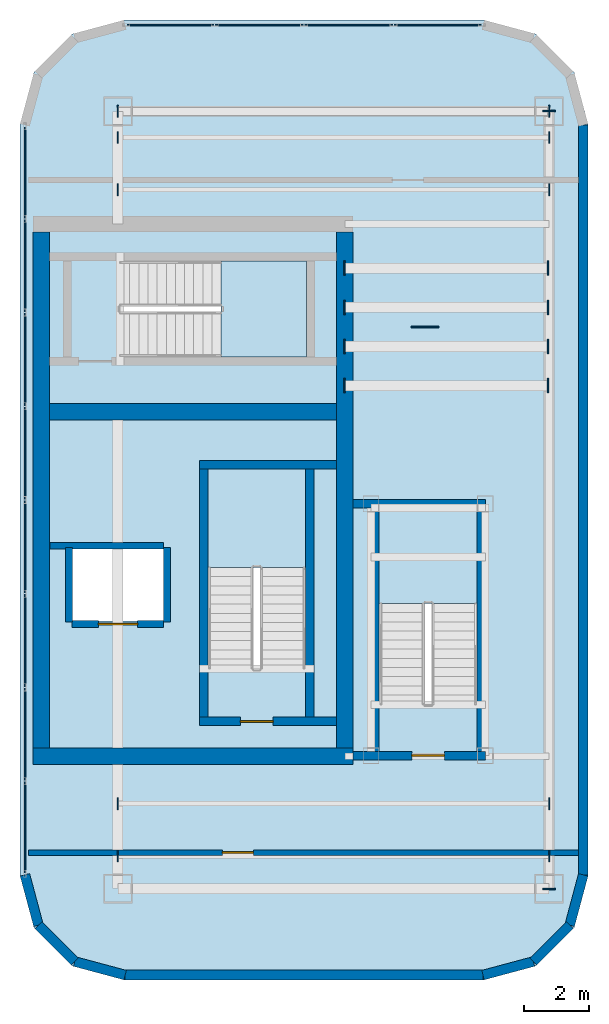
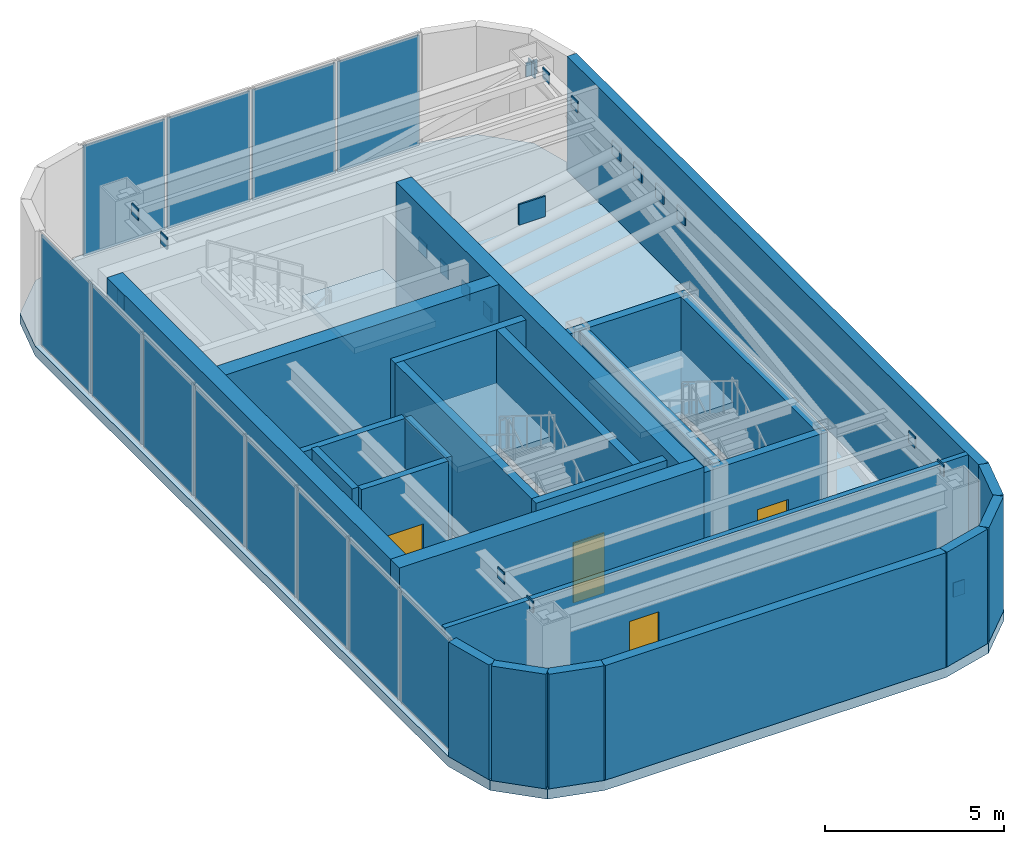
# One storey, part 7 of 9: 33 plates, 25 walls, 4 doors, 4 slabs, 4 openings, 5 elements without a shape of their own.
"""IFC4 building model written with IfcOpenShell, lengths in metres."""

from ifc_helpers import new_model, si_unit, direction, frame, frame_2d, origin, origin_2d, place, context, subcontext, project, spatial, polyline, rectangle, outline, extrude, material, layer, layer_set, type_object, element, fill, aggregate, save


model = new_model("IFC4")

# Units and contexts
model_context = context("Model", 3, precision=1e-05, world=origin(), true_north=direction((0.0, 1.0)))
body_context = subcontext(model_context, "Body", "Model", "MODEL_VIEW")
ifc_project = project(units=[si_unit("LENGTHUNIT", "METRE"), si_unit("AREAUNIT", "SQUARE_METRE"), si_unit("VOLUMEUNIT", "CUBIC_METRE"), si_unit("PLANEANGLEUNIT", "RADIAN"), si_unit("MASSUNIT", "GRAM", prefix="KILO")], contexts=[model_context])

# Site, building, storey
site_placement = place(None, origin())
site = spatial("IfcSite", under=ifc_project, at=site_placement, CompositionType="ELEMENT")
building_placement = place(site_placement, origin())
building = spatial("IfcBuilding", under=site, at=building_placement, Name="Kiyonajd Concourse Tower", CompositionType="ELEMENT")
storey_placement = place(building_placement, frame((0.0, 0.0, 372.89990234375)))
storey = spatial("IfcBuildingStorey", under=building, at=storey_placement, Name="L93", CompositionType="ELEMENT", Elevation=372.89990234375)

# Plates
ifc_material_1 = material(Name="Steel ASTM A572 Grade 50", Category="steel")
ifc_layer_1 = layer(ifc_material_1, 0.028076171875)
ifc_layer_set_1 = layer_set([ifc_layer_1], Name="Steel ASTM A572 Grade 50")
plate_type_1 = type_object("IfcPlateType", Name="PL-CAP-450", PredefinedType="USERDEFINED", material=ifc_layer_set_1)
for number, where, z_axis, x_axis, name in (
    (1, (56.389404296875, 47.60009765625, 0.047607421875), (0.0, 0.0, 1.0), (-1.0, 0.0, 0.0), "L93 Crown Wind Brace Cap"),
    (2, (69.610595703125, 47.60009765625, 3.302734375), (0.0, 0.0, 1.0), (1.0, 0.0, 0.0), "L93 Crown Wind Brace Cap"),
):
    element("IfcPlate", number, at=place(storey_placement, frame(where, z_axis=z_axis, x_axis=x_axis)), inside=storey, type_object=plate_type_1, Name=name, ObjectType="CAP PLATE", PredefinedType="USERDEFINED", context=body_context, shape_type="SweptSolid", body=[
        extrude(rectangle(XDim=0.035888671875, YDim=0.3701171875, at=origin_2d()), origin(), (0.0, 0.0, 1.0), 0.5),
    ])
for number, where, z_axis, x_axis, name in (
    (3, (69.60009765625, 23.7890625, 0.05224609375), (0.0, 0.0, 1.0), (0.0, -1.0, 0.0), "L93 Crown Wind Brace Cap"),
    (4, (69.60009765625, 47.61083984375, 3.30517578125), (0.0, 0.0, 1.0), (0.0, 1.0, 0.0), "L93 Crown Wind Brace Cap"),
):
    element("IfcPlate", number, at=place(storey_placement, frame(where, z_axis=z_axis, x_axis=x_axis)), inside=storey, type_object=plate_type_1, Name=name, ObjectType="CAP PLATE", PredefinedType="USERDEFINED", context=body_context, shape_type="SweptSolid", body=[
        extrude(rectangle(XDim=0.035888671875, YDim=0.3701171875, at=origin_2d()), origin(), (0.0, 0.0, 1.0), 0.492919921875),
    ])
for number, where, z_axis, x_axis, name in (
    (5, (56.388916015625, 24.800048828125, 3.580078125), (0.0, 0.0, 1.0), (-1.0, 0.0, 0.0), "L93 Crown Purlin End Cap"),
    (6, (69.611083984375, 24.800048828125, 3.580078125), (0.0, 0.0, 1.0), (1.0, 0.0, 0.0), "L93 Crown Purlin End Cap"),
    (7, (56.388916015625, 26.39990234375, 3.580078125), (0.0, 0.0, 1.0), (-1.0, 0.0, 0.0), "L93 Crown Purlin End Cap"),
    (8, (69.611083984375, 26.39990234375, 3.580078125), (0.0, 0.0, 1.0), (1.0, 0.0, 0.0), "L93 Crown Purlin End Cap"),
    (9, (56.388916015625, 45.199951171875, 3.580078125), (0.0, 0.0, 1.0), (-1.0, 0.0, 0.0), "L93 Crown Purlin End Cap"),
    (10, (69.611083984375, 45.199951171875, 3.580078125), (0.0, 0.0, 1.0), (1.0, 0.0, 0.0), "L93 Crown Purlin End Cap"),
    (11, (56.388916015625, 46.800048828125, 3.580078125), (0.0, 0.0, 1.0), (-1.0, 0.0, 0.0), "L93 Crown Purlin End Cap"),
    (12, (69.611083984375, 46.800048828125, 3.580078125), (0.0, 0.0, 1.0), (1.0, 0.0, 0.0), "L93 Crown Purlin End Cap"),
):
    element("IfcPlate", number, at=place(storey_placement, frame(where, z_axis=z_axis, x_axis=x_axis)), inside=storey, type_object=plate_type_1, Name=name, ObjectType="CAP PLATE", PredefinedType="USERDEFINED", context=body_context, shape_type="SweptSolid", body=[
        extrude(rectangle(XDim=0.035888671875, YDim=0.360107421875, at=origin_2d()), origin(), (0.0, 0.0, 1.0), 0.389892578125),
    ])
for number, where, z_axis, x_axis, name in (
    (13, (63.339111328125, 39.199951171875, 2.3134765625), (0.0, 0.0, 1.0), (-1.0, 0.0, 0.0), "TMD Strut Core Cap 1"),
    (14, (69.57080078125, 39.199951171875, 3.41748046875), (0.0, 0.0, 1.0), (1.0, 0.0, 0.0), "TMD Strut Outer Cap 1"),
    (15, (63.339111328125, 40.39990234375, 2.3134765625), (0.0, 0.0, 1.0), (-1.0, 0.0, 0.0), "TMD Strut Core Cap 2"),
    (16, (69.57080078125, 40.39990234375, 3.41748046875), (0.0, 0.0, 1.0), (1.0, 0.0, 0.0), "TMD Strut Outer Cap 2"),
    (17, (63.339111328125, 41.60009765625, 2.3134765625), (0.0, 0.0, 1.0), (-1.0, 0.0, 0.0), "TMD Strut Core Cap 3"),
    (18, (69.57080078125, 41.60009765625, 3.41748046875), (0.0, 0.0, 1.0), (1.0, 0.0, 0.0), "TMD Strut Outer Cap 3"),
    (19, (63.339111328125, 42.800048828125, 2.3134765625), (0.0, 0.0, 1.0), (-1.0, 0.0, 0.0), "TMD Strut Core Cap 4"),
    (20, (69.57080078125, 42.800048828125, 3.41748046875), (0.0, 0.0, 1.0), (1.0, 0.0, 0.0), "TMD Strut Outer Cap 4"),
):
    element("IfcPlate", number, at=place(storey_placement, frame(where, z_axis=z_axis, x_axis=x_axis)), inside=storey, type_object=plate_type_1, Name=name, ObjectType="CAP PLATE", PredefinedType="USERDEFINED", context=body_context, shape_type="SweptSolid", body=[
        extrude(rectangle(XDim=0.035888671875, YDim=0.444091796875, at=origin_2d()), origin(), (0.0, 0.0, 1.0), 0.468994140625),
    ])

# Curtain wall, plates
ifc_material_2 = material(Name="Thermally Broken Anodised Aluminium", Category="aluminium")
ifc_layer_2 = layer(ifc_material_2, 0.179931640625)
ifc_layer_set_2 = layer_set([ifc_layer_2], Name="Thermally Broken Anodised Aluminium")
curtain_wall_type = type_object("IfcCurtainWallType", Name="CW-SYS-06", PredefinedType="NOTDEFINED", material=ifc_layer_set_2)
curtain_wall_1_placement = place(storey_placement, origin())
curtain_wall_1 = element("IfcCurtainWall", 21, at=curtain_wall_1_placement, inside=storey, type_object=curtain_wall_type, Name="L93 Unitised Curtain Wall CW6", PredefinedType="NOTDEFINED")
ifc_material_3 = material(Name="Riyadh Jubaila Limestone", Category="masonry")
ifc_layer_3 = layer(ifc_material_3, 0.048095703125)
ifc_layer_set_3 = layer_set([ifc_layer_3], Name="Riyadh Jubaila Limestone")
plate_type_2 = type_object("IfcPlateType", Name="PL-CW-SPD48", PredefinedType="CURTAIN_PANEL", material=ifc_layer_set_3)
plate_1_placement = place(storey_placement, frame((53.550048828125, 25.673583984375, 0.0751953125), z_axis=(0.0, 0.0, 1.0), x_axis=(0.0, 1.0, 0.0)))
plate_1 = element("IfcPlate", 22, at=plate_1_placement, type_object=plate_type_2, Name="CW6 panel 1.1", PredefinedType="CURTAIN_PANEL", context=body_context, shape_type="SweptSolid", body=[
    extrude(rectangle(XDim=2.757568359375, YDim=0.048095703125, at=origin_2d()), origin(), (0.0, 0.0, 1.0), 3.75),
])
plate_2_placement = place(storey_placement, frame((53.550048828125, 28.52490234375, 0.0751953125), z_axis=(0.0, 0.0, 1.0), x_axis=(0.0, 1.0, 0.0)))
plate_2 = element("IfcPlate", 23, at=plate_2_placement, type_object=plate_type_2, Name="CW6 panel 2.1", PredefinedType="CURTAIN_PANEL", context=body_context, shape_type="SweptSolid", body=[
    extrude(rectangle(XDim=2.795166015625, YDim=0.048095703125, at=origin_2d()), origin(), (0.0, 0.0, 1.0), 3.75),
])
plate_3_placement = place(storey_placement, frame((53.550048828125, 31.39501953125, 0.0751953125), z_axis=(0.0, 0.0, 1.0), x_axis=(0.0, 1.0, 0.0)))
plate_3 = element("IfcPlate", 24, at=plate_3_placement, type_object=plate_type_2, Name="CW6 panel 3.1", PredefinedType="CURTAIN_PANEL", context=body_context, shape_type="SweptSolid", body=[
    extrude(rectangle(XDim=2.795166015625, YDim=0.048095703125, at=origin_2d()), origin(), (0.0, 0.0, 1.0), 3.75),
])
plate_4_placement = place(storey_placement, frame((53.550048828125, 34.264892578125, 0.0751953125), z_axis=(0.0, 0.0, 1.0), x_axis=(0.0, 1.0, 0.0)))
plate_4 = element("IfcPlate", 25, at=plate_4_placement, type_object=plate_type_2, Name="CW6 panel 4.1", PredefinedType="CURTAIN_PANEL", context=body_context, shape_type="SweptSolid", body=[
    extrude(rectangle(XDim=2.795166015625, YDim=0.048095703125, at=origin_2d()), origin(), (0.0, 0.0, 1.0), 3.75),
])
plate_5_placement = place(storey_placement, frame((53.550048828125, 37.135009765625, 0.0751953125), z_axis=(0.0, 0.0, 1.0), x_axis=(0.0, 1.0, 0.0)))
plate_5 = element("IfcPlate", 26, at=plate_5_placement, type_object=plate_type_2, Name="CW6 panel 5.1", PredefinedType="CURTAIN_PANEL", context=body_context, shape_type="SweptSolid", body=[
    extrude(rectangle(XDim=2.795166015625, YDim=0.048095703125, at=origin_2d()), origin(), (0.0, 0.0, 1.0), 3.75),
])
plate_6_placement = place(storey_placement, frame((53.550048828125, 40.005126953125, 0.0751953125), z_axis=(0.0, 0.0, 1.0), x_axis=(0.0, 1.0, 0.0)))
plate_6 = element("IfcPlate", 27, at=plate_6_placement, type_object=plate_type_2, Name="CW6 panel 6.1", PredefinedType="CURTAIN_PANEL", context=body_context, shape_type="SweptSolid", body=[
    extrude(rectangle(XDim=2.795166015625, YDim=0.048095703125, at=origin_2d()), origin(), (0.0, 0.0, 1.0), 3.75),
])
plate_7_placement = place(storey_placement, frame((53.550048828125, 42.875244140625, 0.0751953125), z_axis=(0.0, 0.0, 1.0), x_axis=(0.0, 1.0, 0.0)))
plate_7 = element("IfcPlate", 28, at=plate_7_placement, type_object=plate_type_2, Name="CW6 panel 7.1", PredefinedType="CURTAIN_PANEL", context=body_context, shape_type="SweptSolid", body=[
    extrude(rectangle(XDim=2.795166015625, YDim=0.048095703125, at=origin_2d()), origin(), (0.0, 0.0, 1.0), 3.75),
])
plate_8_placement = place(storey_placement, frame((53.550048828125, 45.726318359375, 0.0751953125), z_axis=(0.0, 0.0, 1.0), x_axis=(0.0, 1.0, 0.0)))
plate_8 = element("IfcPlate", 29, at=plate_8_placement, type_object=plate_type_2, Name="CW6 panel 8.1", PredefinedType="CURTAIN_PANEL", context=body_context, shape_type="SweptSolid", body=[
    extrude(rectangle(XDim=2.757568359375, YDim=0.048095703125, at=origin_2d()), origin(), (0.0, 0.0, 1.0), 3.75),
])
aggregate(curtain_wall_1, [plate_1, plate_2, plate_3, plate_4, plate_5, plate_6, plate_7, plate_8])

curtain_wall_2_placement = place(storey_placement, origin())
curtain_wall_2 = element("IfcCurtainWall", 30, at=curtain_wall_2_placement, inside=storey, type_object=curtain_wall_type, Name="L93 Unitised Curtain Wall CW6", PredefinedType="NOTDEFINED")
plate_9_placement = place(storey_placement, frame((58.008544921875, 50.25, 0.0751953125), z_axis=(0.0, 0.0, 1.0), x_axis=(1.0, 0.0, 0.0)))
plate_9 = element("IfcPlate", 31, at=plate_9_placement, type_object=plate_type_2, Name="CW6 panel 1.1", PredefinedType="CURTAIN_PANEL", context=body_context, shape_type="SweptSolid", body=[
    extrude(rectangle(XDim=2.627685546875, YDim=0.048095703125, at=origin_2d()), origin(), (0.0, 0.0, 1.0), 3.75),
])
plate_10_placement = place(storey_placement, frame((60.72998046875, 50.25, 0.0751953125), z_axis=(0.0, 0.0, 1.0), x_axis=(1.0, 0.0, 0.0)))
plate_10 = element("IfcPlate", 32, at=plate_10_placement, type_object=plate_type_2, Name="CW6 panel 2.1", PredefinedType="CURTAIN_PANEL", context=body_context, shape_type="SweptSolid", body=[
    extrude(rectangle(XDim=2.6650390625, YDim=0.048095703125, at=origin_2d()), origin(), (0.0, 0.0, 1.0), 3.75),
])
plate_11_placement = place(storey_placement, frame((63.469970703125, 50.25, 0.0751953125), z_axis=(0.0, 0.0, 1.0), x_axis=(1.0, 0.0, 0.0)))
plate_11 = element("IfcPlate", 33, at=plate_11_placement, type_object=plate_type_2, Name="CW6 panel 3.1", PredefinedType="CURTAIN_PANEL", context=body_context, shape_type="SweptSolid", body=[
    extrude(rectangle(XDim=2.6650390625, YDim=0.048095703125, at=origin_2d()), origin(), (0.0, 0.0, 1.0), 3.75),
])
plate_12_placement = place(storey_placement, frame((66.19140625, 50.25, 0.0751953125), z_axis=(0.0, 0.0, 1.0), x_axis=(1.0, 0.0, 0.0)))
plate_12 = element("IfcPlate", 34, at=plate_12_placement, type_object=plate_type_2, Name="CW6 panel 4.1", PredefinedType="CURTAIN_PANEL", context=body_context, shape_type="SweptSolid", body=[
    extrude(rectangle(XDim=2.627685546875, YDim=0.048095703125, at=origin_2d()), origin(), (0.0, 0.0, 1.0), 3.75),
])
aggregate(curtain_wall_2, [plate_9, plate_10, plate_11, plate_12])

# Plate
ifc_layer_4 = layer(ifc_material_1, 0.699951171875)
ifc_layer_set_4 = layer_set([ifc_layer_4], Name="Steel ASTM A572 Grade 50")
plate_type_3 = type_object("IfcPlateType", Name="PL-GUS-ON1", PredefinedType="USERDEFINED", material=ifc_layer_set_4)
plate_13_placement = place(storey_placement, frame((65.800048828125, 41.0, 3.7001953125), z_axis=(0.0, 0.0, 1.0), x_axis=(1.0, 0.0, 0.0)))
element("IfcPlate", 35, at=plate_13_placement, inside=storey, type_object=plate_type_3, Name="Structural Node Assembly Gusset DN1", ObjectType="GUSSET PLATE", PredefinedType="USERDEFINED", context=body_context, shape_type="SweptSolid", body=[
    extrude(rectangle(XDim=0.85009765625, YDim=0.050048828125, at=origin_2d()), origin(), (0.0, 0.0, 1.0), 0.699951171875),
])

# Stair, slab
ifc_material_4 = material(Name="Concrete C40/50", Category="concrete")
stair_type = type_object("IfcStairType", Name="ST-DLG-24R", PredefinedType="HALF_TURN_STAIR", material=ifc_material_4)
stair_1_placement = place(storey_placement, origin())
stair_1 = element("IfcStair", 36, at=stair_1_placement, inside=storey, type_object=stair_type, Name="L93 Protected Exit Stair ST2", PredefinedType="HALF_TURN_STAIR")
ifc_layer_5 = layer(ifc_material_4, 0.199951171875)
ifc_layer_set_5 = layer_set([ifc_layer_5], Name="Concrete C40/50")
slab_type_1 = type_object("IfcSlabType", Name="SL-LND-200", PredefinedType="LANDING", material=ifc_layer_set_5)
slab_1_placement = place(storey_placement, frame((0.0, 0.0, 1.900146484375)))
slab_1 = element("IfcSlab", 37, at=slab_1_placement, type_object=slab_type_1, Name="ST2 landing 1", PredefinedType="LANDING", context=body_context, shape_type="SweptSolid", body=[
    extrude(outline(polyline([(62.14990234375, 33.6298828125), (62.14990234375, 36.64990234375), (59.14990234375, 36.64990234375), (59.14990234375, 33.6298828125), (62.14990234375, 33.6298828125)])), origin(), (0.0, 0.0, 1.0), 0.199951171875),
])
aggregate(stair_1, [slab_1])

stair_2_placement = place(storey_placement, origin())
stair_2 = element("IfcStair", 38, at=stair_2_placement, inside=storey, type_object=stair_type, Name="L93 Protected Exit Stair ST3", PredefinedType="HALF_TURN_STAIR")
slab_2_placement = place(storey_placement, frame((0.0, 0.0, 1.900146484375)))
slab_2 = element("IfcSlab", 39, at=slab_2_placement, type_object=slab_type_1, Name="ST3 landing 1", PredefinedType="LANDING", context=body_context, shape_type="SweptSolid", body=[
    extrude(outline(polyline([(59.56005859375, 40.080078125), (62.179931640625, 40.080078125), (62.179931640625, 43.02001953125), (59.56005859375, 43.02001953125), (59.56005859375, 40.080078125)])), origin(), (0.0, 0.0, 1.0), 0.199951171875),
])
aggregate(stair_2, [slab_2])

stair_3_placement = place(storey_placement, origin())
stair_3 = element("IfcStair", 40, at=stair_3_placement, inside=storey, type_object=stair_type, Name="L93 East Crown Maintenance Stair ST6", PredefinedType="HALF_TURN_STAIR")
slab_3_placement = place(storey_placement, frame((0.0, 0.0, 1.900146484375)))
slab_3 = element("IfcSlab", 41, at=slab_3_placement, type_object=slab_type_1, Name="ST6 landing 1", PredefinedType="LANDING", context=body_context, shape_type="SweptSolid", body=[
    extrude(outline(polyline([(67.39990234375, 32.530029296875), (67.39990234375, 35.449951171875), (64.39990234375, 35.449951171875), (64.39990234375, 32.530029296875), (67.39990234375, 32.530029296875)])), origin(), (0.0, 0.0, 1.0), 0.199951171875),
])
aggregate(stair_3, [slab_3])

# Slab
ifc_material_5 = material(Name="Concrete C50/60", Category="concrete")
ifc_layer_6 = layer(ifc_material_5, 0.300048828125)
ifc_layer_set_6 = layer_set([ifc_layer_6], Name="Concrete C50/60")
slab_type_2 = type_object("IfcSlabType", Name="SL-MEP-300", PredefinedType="FLOOR", material=ifc_layer_set_6)
slab_4_placement = place(storey_placement, frame((0.0, 0.0, -0.33984375)))
element("IfcSlab", 42, at=slab_4_placement, inside=storey, type_object=slab_type_2, Name="L93 East Crown Upper TMD Suspension Floor Slab", PredefinedType="FLOOR", context=body_context, shape_type="SweptSolid", body=[
    extrude(outline(polyline([(53.39990234375, 24.199951171875), (53.8291015625, 22.60009765625), (55.0, 21.428955078125), (56.60009765625, 21.0), (67.60009765625, 21.0), (69.199951171875, 21.428955078125), (70.37109375, 22.60009765625), (70.800048828125, 24.199951171875), (70.800048828125, 47.199951171875), (70.37109375, 48.800048828125), (69.199951171875, 49.970947265625), (67.60009765625, 50.39990234375), (56.60009765625, 50.39990234375), (55.0, 49.970947265625), (53.8291015625, 48.800048828125), (53.39990234375, 47.199951171875), (53.39990234375, 24.199951171875)]), holes=[polyline([(59.14990234375, 30.550048828125), (59.14990234375, 36.64990234375), (62.14990234375, 36.64990234375), (62.14990234375, 30.550048828125), (59.14990234375, 30.550048828125)]), polyline([(56.47998046875, 43.02001953125), (62.179931640625, 43.02001953125), (62.179931640625, 40.080078125), (56.47998046875, 40.080078125), (56.47998046875, 43.02001953125)]), polyline([(64.39990234375, 29.449951171875), (64.39990234375, 35.449951171875), (67.39990234375, 35.449951171875), (67.39990234375, 29.449951171875), (64.39990234375, 29.449951171875)]), polyline([(55.0, 32.0), (55.0, 34.199951171875), (57.800048828125, 34.199951171875), (57.800048828125, 32.0), (55.0, 32.0)])]), origin(), (0.0, 0.0, 1.0), 0.33984375),
])

# Walls
ifc_material_6 = material(Name="Concrete C60/75", Category="concrete")
ifc_layer_7 = layer(ifc_material_6, 0.5)
ifc_layer_set_7 = layer_set([ifc_layer_7], Name="Concrete C60/75")
wall_type_1 = type_object("IfcWallType", Name="WL-CORE-500", PredefinedType="SHEAR", material=ifc_layer_set_7)
for number, where, z_axis, x_axis, name in (
    (43, (54.050048828125, 28.10009765625, 0.0), (0.0, 0.0, 1.0), (0.0, 1.0, 0.0), "L93 East Crown Inner Core Wall"),
    (44, (63.35009765625, 28.10009765625, 0.0), (0.0, 0.0, 1.0), (0.0, 1.0, 0.0), "L93 East Crown Outer Core Wall"),
):
    element("IfcWall", number, at=place(storey_placement, frame(where, z_axis=z_axis, x_axis=x_axis)), inside=storey, type_object=wall_type_1, Name=name, PredefinedType="SHEAR", context=body_context, shape_type="SweptSolid", body=[
        extrude(rectangle(XDim=15.7998046875, YDim=0.5, at=frame_2d((7.89990234375, 0.0))), origin(), (0.0, 0.0, 1.0), 4.2001953125),
    ])
wall_1_placement = place(storey_placement, frame((53.800048828125, 27.85009765625, 0.0), z_axis=(0.0, 0.0, 1.0), x_axis=(1.0, 0.0, 0.0)))
element("IfcWall", 45, at=wall_1_placement, inside=storey, type_object=wall_type_1, Name="L93 East Crown South Core Wall", PredefinedType="SHEAR", context=body_context, shape_type="SweptSolid", body=[
    extrude(rectangle(XDim=9.800048828125, YDim=0.5, at=frame_2d((4.89990234375, 0.0))), origin(), (0.0, 0.0, 1.0), 4.2001953125),
])
wall_2_placement = place(storey_placement, frame((54.300048828125, 38.39990234375, 0.0), z_axis=(0.0, 0.0, 1.0), x_axis=(1.0, 0.0, 0.0)))
element("IfcWall", 46, at=wall_2_placement, inside=storey, type_object=wall_type_1, Name="L93 East Crown Mast Cross Shear Wall", PredefinedType="SHEAR", context=body_context, shape_type="SweptSolid", body=[
    extrude(rectangle(XDim=8.800048828125, YDim=0.5, at=frame_2d((4.39990234375, 0.0))), origin(), (0.0, 0.0, 1.0), 4.2001953125),
])
ifc_material_7 = material(Name="Precast concrete C50/60", Category="concrete")
ifc_layer_8 = layer(ifc_material_7, 0.300048828125)
ifc_layer_set_8 = layer_set([ifc_layer_8], Name="Precast concrete C50/60")
wall_type_2 = type_object("IfcWallType", Name="WL-CRN-300", PredefinedType="SOLIDWALL", material=ifc_layer_set_8)
wall_3_placement = place(storey_placement, frame((70.64990234375, 47.18017578125, 0.0), z_axis=(0.0, 0.0, 1.0), x_axis=(0.0, -1.0, 0.0)))
element("IfcWall", 47, at=wall_3_placement, inside=storey, type_object=wall_type_2, Name="L93 E Crown Enclosure Wall 09", PredefinedType="SOLIDWALL", context=body_context, shape_type="SweptSolid", body=[
    extrude(rectangle(XDim=22.96044921875, YDim=0.300048828125, at=frame_2d((11.480224609375, 0.0))), origin(), (0.0, 0.0, 1.0), 3.900146484375),
])
wall_4_placement = place(storey_placement, frame((70.64990234375, 24.2197265625, 0.0), z_axis=(0.0, 0.0, 1.0), x_axis=(-0.258909349397, -0.965901624802, 0.0)))
element("IfcWall", 48, at=wall_4_placement, inside=storey, type_object=wall_type_2, Name="L93 E Crown Enclosure Wall 10", PredefinedType="SOLIDWALL", context=body_context, shape_type="SweptSolid", body=[
    extrude(rectangle(XDim=1.596435546875, YDim=0.300048828125, at=frame_2d((0.79833984375, 0.0))), origin(), (0.0, 0.0, 1.0), 3.900146484375),
])
wall_5_placement = place(storey_placement, frame((70.236572265625, 22.677734375, 0.0), z_axis=(0.0, 0.0, 1.0), x_axis=(-0.707106781187, -0.707106781187, 0.0)))
element("IfcWall", 49, at=wall_5_placement, inside=storey, type_object=wall_type_2, Name="L93 E Crown Enclosure Wall 11", PredefinedType="SOLIDWALL", context=body_context, shape_type="SweptSolid", body=[
    extrude(rectangle(XDim=1.57568359375, YDim=0.300048828125, at=frame_2d((0.787841796875, 0.0))), origin(), (0.0, 0.0, 1.0), 3.900146484375),
])
wall_6_placement = place(storey_placement, frame((69.122314453125, 21.5634765625, 0.0), z_axis=(0.0, 0.0, 1.0), x_axis=(-0.96587363116, -0.259013761467, 0.0)))
element("IfcWall", 50, at=wall_6_placement, inside=storey, type_object=wall_type_2, Name="L93 E Crown Enclosure Wall 12", PredefinedType="SOLIDWALL", context=body_context, shape_type="SweptSolid", body=[
    extrude(rectangle(XDim=1.5966796875, YDim=0.300048828125, at=frame_2d((0.79833984375, 0.0))), origin(), (0.0, 0.0, 1.0), 3.900146484375),
])
wall_7_placement = place(storey_placement, frame((67.580078125, 21.14990234375, 0.0), z_axis=(0.0, 0.0, 1.0), x_axis=(-1.0, 0.0, 0.0)))
element("IfcWall", 51, at=wall_7_placement, inside=storey, type_object=wall_type_2, Name="L93 E Crown Enclosure Wall 13", PredefinedType="SOLIDWALL", context=body_context, shape_type="SweptSolid", body=[
    extrude(rectangle(XDim=10.960205078125, YDim=0.300048828125, at=frame_2d((5.47998046875, 0.0))), origin(), (0.0, 0.0, 1.0), 3.900146484375),
])
wall_8_placement = place(storey_placement, frame((56.619873046875, 21.14990234375, 0.0), z_axis=(0.0, 0.0, 1.0), x_axis=(-0.96587363116, 0.259013761467, 0.0)))
element("IfcWall", 52, at=wall_8_placement, inside=storey, type_object=wall_type_2, Name="L93 E Crown Enclosure Wall 14", PredefinedType="SOLIDWALL", context=body_context, shape_type="SweptSolid", body=[
    extrude(rectangle(XDim=1.5966796875, YDim=0.300048828125, at=frame_2d((0.79833984375, 0.0))), origin(), (0.0, 0.0, 1.0), 3.900146484375),
])
wall_9_placement = place(storey_placement, frame((55.07763671875, 21.5634765625, 0.0), z_axis=(0.0, 0.0, 1.0), x_axis=(-0.707106781187, 0.707106781187, 0.0)))
element("IfcWall", 53, at=wall_9_placement, inside=storey, type_object=wall_type_2, Name="L93 E Crown Enclosure Wall 15", PredefinedType="SOLIDWALL", context=body_context, shape_type="SweptSolid", body=[
    extrude(rectangle(XDim=1.57568359375, YDim=0.300048828125, at=frame_2d((0.787841796875, 0.0))), origin(), (0.0, 0.0, 1.0), 3.900146484375),
])
wall_10_placement = place(storey_placement, frame((53.96337890625, 22.677734375, 0.0), z_axis=(0.0, 0.0, 1.0), x_axis=(-0.258909349397, 0.965901624802, 0.0)))
element("IfcWall", 54, at=wall_10_placement, inside=storey, type_object=wall_type_2, Name="L93 E Crown Enclosure Wall 16", PredefinedType="SOLIDWALL", context=body_context, shape_type="SweptSolid", body=[
    extrude(rectangle(XDim=1.596435546875, YDim=0.300048828125, at=frame_2d((0.79833984375, 0.0))), origin(), (0.0, 0.0, 1.0), 3.900146484375),
])

# Wall, opening, door
ifc_material_8 = material(Name="Gypsum Board on Cold-Formed Steel Stud", Category="steel")
ifc_layer_9 = layer(ifc_material_8, 0.2099609375)
ifc_layer_set_9 = layer_set([ifc_layer_9], Name="Gypsum Board on Cold-Formed Steel Stud")
wall_type_3 = type_object("IfcWallType", Name="WL-SHAFT-210", PredefinedType="PARTITIONING", material=ifc_layer_set_9)
wall_11_placement = place(storey_placement, frame((55.0, 31.89990234375, 0.0), z_axis=(0.0, 0.0, 1.0), x_axis=(1.0, 0.0, 0.0)))
wall_11 = element("IfcWall", 55, at=wall_11_placement, inside=storey, type_object=wall_type_3, Name="L93 Shaft Enclosure Wall", PredefinedType="PARTITIONING", context=body_context, shape_type="SweptSolid", body=[
    extrude(rectangle(XDim=2.800048828125, YDim=0.2099609375, at=frame_2d((1.39990234375, 0.0))), origin(), (0.0, 0.0, 1.0), 3.900146484375),
])
opening_1_placement = place(wall_11_placement, frame((0.800048828125, 0.0, 0.0)))
opening_1 = element("IfcOpeningElement", 56, at=opening_1_placement, cuts=wall_11, Name="Opening LD2", PredefinedType="OPENING", context=body_context, shape_type="SweptSolid", body=[
    extrude(rectangle(XDim=1.199951171875, YDim=2.0400390625, at=frame_2d((0.60009765625, 1.02001953125))), frame((0.0, 0.114990234375, 0.0), z_axis=(0.0, -1.0, 0.0), x_axis=(1.0, 0.0, 0.0)), (0.0, 0.0, 1.0), 0.22998046875),
])
ifc_material_9 = material(Name="Brushed Stainless Steel Cab Assembly", Category="steel")
door_type_1 = type_object("IfcDoorType", Name="DR-LD-1200", OperationType="DOUBLE_DOOR_SLIDING", PredefinedType="DOOR", material=ifc_material_9)
door_1_placement = place(opening_1_placement, origin())
door_1 = element("IfcDoor", 57, at=door_1_placement, inside=storey, type_object=door_type_1, Name="L93 Lift FFL2 Sliding Landing Door", OperationType="DOUBLE_DOOR_SLIDING", OverallHeight=2.0400390625, OverallWidth=1.199951171875, PredefinedType="DOOR", context=body_context, shape_type="SweptSolid", body=[
    extrude(rectangle(XDim=1.199951171875, YDim=2.0400390625, at=frame_2d((0.60009765625, 1.02001953125))), frame((0.0, 0.02490234375, 0.0), z_axis=(0.0, -1.0, 0.0), x_axis=(1.0, 0.0, 0.0)), (0.0, 0.0, 1.0), 0.050048828125),
])
fill(opening_1, door_1)

# Walls
wall_12_placement = place(storey_placement, frame((54.320068359375, 34.300048828125, 0.0), z_axis=(0.0, 0.0, 1.0), x_axis=(1.0, 0.0, 0.0)))
element("IfcWall", 58, at=wall_12_placement, inside=storey, type_object=wall_type_3, Name="L93 Shaft Enclosure Wall", PredefinedType="PARTITIONING", context=body_context, shape_type="SweptSolid", body=[
    extrude(rectangle(XDim=3.47998046875, YDim=0.2099609375, at=frame_2d((1.739990234375, 0.0))), origin(), (0.0, 0.0, 1.0), 3.900146484375),
])
for number, where, z_axis, x_axis, name in (
    (59, (54.89990234375, 31.9599609375, 0.0), (0.0, 0.0, 1.0), (0.0, 1.0, 0.0), "L93 Shaft Enclosure Wall"),
    (60, (57.89990234375, 31.9599609375, 0.0), (0.0, 0.0, 1.0), (0.0, 1.0, 0.0), "L93 Shaft Enclosure Wall"),
):
    element("IfcWall", number, at=place(storey_placement, frame(where, z_axis=z_axis, x_axis=x_axis)), inside=storey, type_object=wall_type_3, Name=name, PredefinedType="PARTITIONING", context=body_context, shape_type="SweptSolid", body=[
        extrude(rectangle(XDim=2.280029296875, YDim=0.2099609375, at=frame_2d((1.14013671875, 0.0))), origin(), (0.0, 0.0, 1.0), 3.900146484375),
    ])

# Wall, opening, door
ifc_layer_10 = layer(ifc_material_8, 0.169921875)
ifc_layer_set_10 = layer_set([ifc_layer_10], Name="Gypsum Board on Cold-Formed Steel Stud")
wall_type_4 = type_object("IfcWallType", Name="WL-SMK-170", PredefinedType="PARTITIONING", material=ifc_layer_set_10)
wall_13_placement = place(storey_placement, frame((53.655029296875, 24.89990234375, 0.0), z_axis=(0.0, 0.0, 1.0), x_axis=(1.0, 0.0, 0.0)))
wall_13 = element("IfcWall", 61, at=wall_13_placement, inside=storey, type_object=wall_type_4, Name="L93 Interior Partition Wall", PredefinedType="PARTITIONING", context=body_context, shape_type="SweptSolid", body=[
    extrude(rectangle(XDim=16.849853515625, YDim=0.169921875, at=frame_2d((8.4248046875, 0.0))), origin(), (0.0, 0.0, 1.0), 3.900146484375),
])
opening_2_placement = place(wall_13_placement, frame((5.945068359375, 0.0, 0.0)))
opening_2 = element("IfcOpeningElement", 62, at=opening_2_placement, cuts=wall_13, Name="Opening DF3", PredefinedType="OPENING", context=body_context, shape_type="SweptSolid", body=[
    extrude(rectangle(XDim=0.949951171875, YDim=2.0400390625, at=frame_2d((0.47509765625, 1.02001953125))), frame((0.0, 0.094970703125, 0.0), z_axis=(0.0, -1.0, 0.0), x_axis=(1.0, 0.0, 0.0)), (0.0, 0.0, 1.0), 0.18994140625),
])
door_type_2 = type_object("IfcDoorType", Name="DR-FD60-950", OperationType="NOTDEFINED", PredefinedType="DOOR", material=ifc_material_9)
door_2_placement = place(opening_2_placement, origin())
door_2 = element("IfcDoor", 63, at=door_2_placement, inside=storey, type_object=door_type_2, Name="L93 Interior Door", OperationType="SINGLE_SWING_RIGHT", OverallHeight=2.0400390625, OverallWidth=0.949951171875, PredefinedType="DOOR", context=body_context, shape_type="SweptSolid", body=[
    extrude(rectangle(XDim=0.949951171875, YDim=2.0400390625, at=frame_2d((0.47509765625, 1.02001953125))), frame((0.0, 0.02490234375, 0.0), z_axis=(0.0, -1.0, 0.0), x_axis=(1.0, 0.0, 0.0)), (0.0, 0.0, 1.0), 0.050048828125),
])
fill(opening_2, door_2)

ifc_layer_11 = layer(ifc_material_5, 0.260009765625)
ifc_layer_set_11 = layer_set([ifc_layer_11], Name="Concrete C50/60")
wall_type_5 = type_object("IfcWallType", Name="WL-STAIR-260", PredefinedType="SHEAR", material=ifc_layer_set_11)
wall_14_placement = place(storey_placement, frame((58.889892578125, 28.919921875, 0.0), z_axis=(0.0, 0.0, 1.0), x_axis=(1.0, 0.0, 0.0)))
wall_14 = element("IfcWall", 64, at=wall_14_placement, inside=storey, type_object=wall_type_5, Name="L93 Stair ST2 Structural South Wall", PredefinedType="SHEAR", context=body_context, shape_type="SweptSolid", body=[
    extrude(rectangle(XDim=4.210205078125, YDim=0.260009765625, at=frame_2d((2.10498046875, 0.0))), origin(), (0.0, 0.0, 1.0), 3.900146484375),
])
opening_3_placement = place(wall_14_placement, frame((1.260009765625, 0.0, 0.0)))
opening_3 = element("IfcOpeningElement", 65, at=opening_3_placement, cuts=wall_14, Name="Opening DF1", PredefinedType="OPENING", context=body_context, shape_type="SweptSolid", body=[
    extrude(rectangle(XDim=1.0, YDim=2.0400390625, at=frame_2d((0.5, 1.02001953125))), frame((0.0, 0.139892578125, 0.0), z_axis=(0.0, -1.0, 0.0), x_axis=(1.0, 0.0, 0.0)), (0.0, 0.0, 1.0), 0.280029296875),
])
door_type_3 = type_object("IfcDoorType", Name="DR-FD90-1000", OperationType="NOTDEFINED", PredefinedType="DOOR", material=ifc_material_9)
door_3_placement = place(opening_3_placement, origin())
door_3 = element("IfcDoor", 66, at=door_3_placement, inside=storey, type_object=door_type_3, Name="L93 Stair ST2 Enclosure Door", OperationType="SINGLE_SWING_RIGHT", OverallHeight=2.0400390625, OverallWidth=1.0, PredefinedType="DOOR", context=body_context, shape_type="SweptSolid", body=[
    extrude(rectangle(XDim=1.0, YDim=2.0400390625, at=frame_2d((0.5, 1.02001953125))), frame((0.0, 0.02490234375, 0.0), z_axis=(0.0, -1.0, 0.0), x_axis=(1.0, 0.0, 0.0)), (0.0, 0.0, 1.0), 0.050048828125),
])
fill(opening_3, door_3)

# Walls
wall_15_placement = place(storey_placement, frame((58.889892578125, 36.780029296875, 0.0), z_axis=(0.0, 0.0, 1.0), x_axis=(1.0, 0.0, 0.0)))
element("IfcWall", 67, at=wall_15_placement, inside=storey, type_object=wall_type_5, Name="L93 Stair ST2 Structural North Wall", PredefinedType="SHEAR", context=body_context, shape_type="SweptSolid", body=[
    extrude(rectangle(XDim=4.210205078125, YDim=0.260009765625, at=frame_2d((2.10498046875, 0.0))), origin(), (0.0, 0.0, 1.0), 3.900146484375),
])
for number, where, z_axis, x_axis, name in (
    (68, (59.02001953125, 29.050048828125, 0.0), (0.0, 0.0, 1.0), (0.0, 1.0, 0.0), "L93 Stair ST2 Structural West Wall"),
    (69, (62.280029296875, 29.050048828125, 0.0), (0.0, 0.0, 1.0), (0.0, 1.0, 0.0), "L93 Stair ST2 Structural East Wall"),
):
    element("IfcWall", number, at=place(storey_placement, frame(where, z_axis=z_axis, x_axis=x_axis)), inside=storey, type_object=wall_type_5, Name=name, PredefinedType="SHEAR", context=body_context, shape_type="SweptSolid", body=[
        extrude(rectangle(XDim=7.599853515625, YDim=0.260009765625, at=frame_2d((3.7998046875, 0.0))), origin(), (0.0, 0.0, 1.0), 3.900146484375),
    ])

# Wall, opening, door
wall_16_placement = place(storey_placement, frame((63.60009765625, 27.8701171875, 0.0), z_axis=(0.0, 0.0, 1.0), x_axis=(1.0, 0.0, 0.0)))
wall_16 = element("IfcWall", 70, at=wall_16_placement, inside=storey, type_object=wall_type_5, Name="L93 Stair ST6 Structural South Wall", PredefinedType="SHEAR", context=body_context, shape_type="SweptSolid", body=[
    extrude(rectangle(XDim=4.059814453125, YDim=0.260009765625, at=frame_2d((2.02978515625, 0.0))), origin(), (0.0, 0.0, 1.0), 3.900146484375),
])
opening_4_placement = place(wall_16_placement, frame((1.800048828125, 0.0, 0.0)))
opening_4 = element("IfcOpeningElement", 71, at=opening_4_placement, cuts=wall_16, Name="Opening DF1", PredefinedType="OPENING", context=body_context, shape_type="SweptSolid", body=[
    extrude(rectangle(XDim=1.0, YDim=2.0400390625, at=frame_2d((0.5, 1.02001953125))), frame((0.0, 0.139892578125, 0.0), z_axis=(0.0, -1.0, 0.0), x_axis=(1.0, 0.0, 0.0)), (0.0, 0.0, 1.0), 0.280029296875),
])
door_4_placement = place(opening_4_placement, origin())
door_4 = element("IfcDoor", 72, at=door_4_placement, inside=storey, type_object=door_type_3, Name="L93 Stair ST6 Enclosure Door", OperationType="SINGLE_SWING_RIGHT", OverallHeight=2.0400390625, OverallWidth=1.0, PredefinedType="DOOR", context=body_context, shape_type="SweptSolid", body=[
    extrude(rectangle(XDim=1.0, YDim=2.0400390625, at=frame_2d((0.5, 1.02001953125))), frame((0.0, 0.02490234375, 0.0), z_axis=(0.0, -1.0, 0.0), x_axis=(1.0, 0.0, 0.0)), (0.0, 0.0, 1.0), 0.050048828125),
])
fill(opening_4, door_4)

# Walls
wall_17_placement = place(storey_placement, frame((63.60009765625, 35.580078125, 0.0), z_axis=(0.0, 0.0, 1.0), x_axis=(1.0, 0.0, 0.0)))
element("IfcWall", 73, at=wall_17_placement, inside=storey, type_object=wall_type_5, Name="L93 Stair ST6 Structural North Wall", PredefinedType="SHEAR", context=body_context, shape_type="SweptSolid", body=[
    extrude(rectangle(XDim=4.059814453125, YDim=0.260009765625, at=frame_2d((2.02978515625, 0.0))), origin(), (0.0, 0.0, 1.0), 3.900146484375),
])
for number, where, z_axis, x_axis, name in (
    (74, (64.27001953125, 28.0, 0.0), (0.0, 0.0, 1.0), (0.0, 1.0, 0.0), "L93 Stair ST6 Structural West Wall"),
    (75, (67.530029296875, 28.0, 0.0), (0.0, 0.0, 1.0), (0.0, 1.0, 0.0), "L93 Stair ST6 Structural East Wall"),
):
    element("IfcWall", number, at=place(storey_placement, frame(where, z_axis=z_axis, x_axis=x_axis)), inside=storey, type_object=wall_type_5, Name=name, PredefinedType="SHEAR", context=body_context, shape_type="SweptSolid", body=[
        extrude(rectangle(XDim=7.449951171875, YDim=0.260009765625, at=frame_2d((3.72509765625, 0.0))), origin(), (0.0, 0.0, 1.0), 3.900146484375),
    ])

save(model, "model.ifc")
